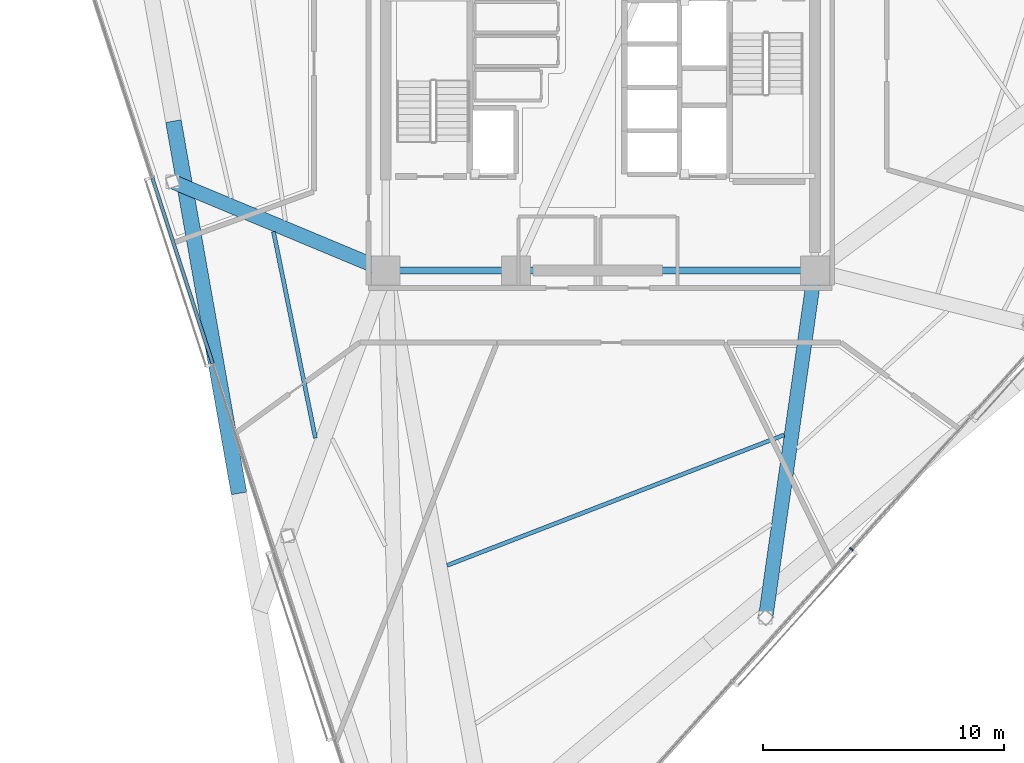
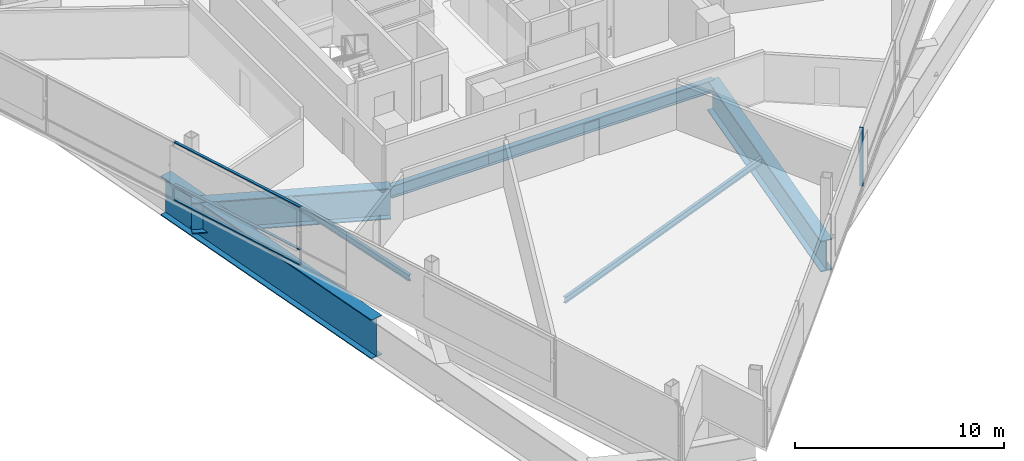
# One storey, part 3 of 17: 7 beams, 4 members, 2 elements without a shape of their own.
"""IFC4 building model written with IfcOpenShell, lengths in metres."""

from ifc_helpers import new_model, si_unit, direction, frame, origin, origin_2d, place, context, subcontext, project, spatial, rectangle, i_section, extrude, material, layer, layer_set, material_profile, profile_set, type_object, element, aggregate, save


model = new_model("IFC4")

# Units and contexts
model_context = context("Model", 3, precision=1e-05, world=origin(), true_north=direction((0.0, 1.0)))
body_context = subcontext(model_context, "Body", "Model", "MODEL_VIEW")
ifc_project = project(units=[si_unit("LENGTHUNIT", "METRE"), si_unit("AREAUNIT", "SQUARE_METRE"), si_unit("VOLUMEUNIT", "CUBIC_METRE"), si_unit("PLANEANGLEUNIT", "RADIAN"), si_unit("MASSUNIT", "GRAM", prefix="KILO")], contexts=[model_context])

# Site, building, storey
site_placement = place(None, origin())
site = spatial("IfcSite", under=ifc_project, at=site_placement, CompositionType="ELEMENT")
building_placement = place(site_placement, origin())
building = spatial("IfcBuilding", under=site, at=building_placement, Name="Tharavind Bronze Gate", CompositionType="ELEMENT")
storey_placement = place(building_placement, frame((0.0, 0.0, 196.85009765625)))
storey = spatial("IfcBuildingStorey", under=building, at=storey_placement, Name="L50", CompositionType="ELEMENT", Elevation=196.85009765625)

# Curtain wall, member
ifc_material_1 = material(Name="Anodised Bronze Aluminium", Category="aluminium")
ifc_layer = layer(ifc_material_1, 0.219970703125)
ifc_layer_set = layer_set([ifc_layer], Name="Anodised Bronze Aluminium")
curtain_wall_type = type_object("IfcCurtainWallType", Name="UNITISED CURTAIN WALL MID OFFICE", PredefinedType="USERDEFINED", material=ifc_layer_set)
curtain_wall_1_placement = place(storey_placement, origin())
curtain_wall_1 = element("IfcCurtainWall", 1, at=curtain_wall_1_placement, inside=storey, type_object=curtain_wall_type, Name="L50 unitised curtain wall mid office CW-L50-S2", ObjectType="UNITISED CURTAIN WALL", PredefinedType="USERDEFINED")
member_type_1 = type_object("IfcMemberType", Name="CURTAIN WALL BRONZE MULLION 65X180", PredefinedType="MULLION", material=ifc_material_1)
member_1_placement = place(storey_placement, frame((10.42138671875, -19.1552734375, 0.0), z_axis=(0.0, 0.0, 1.0), x_axis=(0.669130606359, 0.743144825477, 0.0)))
member_1 = element("IfcMember", 2, at=member_1_placement, type_object=member_type_1, Name="CW-L50-S2 mullion 4", PredefinedType="MULLION", context=body_context, shape_type="SweptSolid", body=[
    extrude(rectangle(XDim=0.06494140625, YDim=0.179931640625, at=origin_2d()), origin(), (0.0, 0.0, 1.0), 3.419921875),
])
aggregate(curtain_wall_1, [member_1])

# Curtain wall, members
curtain_wall_2_placement = place(storey_placement, origin())
curtain_wall_2 = element("IfcCurtainWall", 3, at=curtain_wall_2_placement, inside=storey, type_object=curtain_wall_type, Name="L50 unitised curtain wall mid office CW-L50-S1", ObjectType="UNITISED CURTAIN WALL", PredefinedType="USERDEFINED")
member_type_2 = type_object("IfcMemberType", Name="CURTAIN WALL BRONZE TRANSOM 65X140", PredefinedType="USERDEFINED", material=ifc_material_1)
member_2_placement = place(storey_placement, frame((-17.32958984375, -7.61083984375, 0.0), z_axis=(0.0, 0.0, 1.0), x_axis=(0.309016994375, -0.951056516295, 0.0)))
member_2 = element("IfcMember", 4, at=member_2_placement, type_object=member_type_2, Name="CW-L50-S1 transom TB3", ObjectType="TRANSOM", PredefinedType="USERDEFINED", context=body_context, shape_type="SweptSolid", body=[
    extrude(rectangle(XDim=8.102783203125, YDim=0.139892578125, at=origin_2d()), origin(), (0.0, 0.0, 1.0), 0.06494140625),
])
member_3_placement = place(storey_placement, frame((-17.32958984375, -7.61083984375, 0.867431640625), z_axis=(0.0, 0.0, 1.0), x_axis=(0.309016994375, -0.951056516295, 0.0)))
member_3 = element("IfcMember", 5, at=member_3_placement, type_object=member_type_2, Name="CW-L50-S1 transom TS3", ObjectType="TRANSOM", PredefinedType="USERDEFINED", context=body_context, shape_type="SweptSolid", body=[
    extrude(rectangle(XDim=8.102783203125, YDim=0.139892578125, at=origin_2d()), origin(), (0.0, 0.0, 1.0), 0.06494140625),
])
member_4_placement = place(storey_placement, frame((-17.32958984375, -7.61083984375, 3.35498046875), z_axis=(0.0, 0.0, 1.0), x_axis=(0.309016994375, -0.951056516295, 0.0)))
member_4 = element("IfcMember", 6, at=member_4_placement, type_object=member_type_2, Name="CW-L50-S1 transom TT3", ObjectType="TRANSOM", PredefinedType="USERDEFINED", context=body_context, shape_type="SweptSolid", body=[
    extrude(rectangle(XDim=8.102783203125, YDim=0.139892578125, at=origin_2d()), origin(), (0.0, 0.0, 1.0), 0.06494140625),
])
aggregate(curtain_wall_2, [member_2, member_3, member_4])

# Beams
ifc_material_2 = material(Name="Steel S355", Category="steel")
ifc_material_profile_1 = material_profile(ifc_material_2, i_section(OverallWidth=0.300048828125, OverallDepth=0.699951171875, WebThickness=0.01708984375, FlangeThickness=0.031982421875, at=origin_2d()), Name="HE700B")
ifc_profile_set_1 = profile_set([ifc_material_profile_1], Name="Steel S355")
beam_type_1 = type_object("IfcBeamType", Name="RING GIRDER HE700B", PredefinedType="USERDEFINED", material=ifc_profile_set_1)
beam_1_placement = place(storey_placement, frame((-8.89990234375, -7.60009765625, -0.5400390625), z_axis=(1.0, 0.0, 0.0), x_axis=(0.0, 1.0, 0.0)))
element("IfcBeam", 7, at=beam_1_placement, inside=storey, type_object=beam_type_1, Name="L50 ring girder he700b BM-L50-CR1", ObjectType="GIRDER", PredefinedType="USERDEFINED", context=body_context, shape_type="SweptSolid", body=[
    extrude(i_section(OverallWidth=0.300048828125, OverallDepth=0.699951171875, WebThickness=0.01708984375, FlangeThickness=0.031982421875, at=origin_2d()), origin(), (0.0, 0.0, 1.0), 5.39990234375),
])
beam_2_placement = place(storey_placement, frame((-3.5, -7.60009765625, -0.5400390625), z_axis=(1.0, 0.0, 0.0), x_axis=(0.0, 1.0, 0.0)))
element("IfcBeam", 8, at=beam_2_placement, inside=storey, type_object=beam_type_1, Name="L50 ring girder he700b BM-L50-CR2", ObjectType="GIRDER", PredefinedType="USERDEFINED", context=body_context, shape_type="SweptSolid", body=[
    extrude(i_section(OverallWidth=0.300048828125, OverallDepth=0.699951171875, WebThickness=0.01708984375, FlangeThickness=0.031982421875, at=origin_2d()), origin(), (0.0, 0.0, 1.0), 12.39990234375),
])
ifc_material_profile_2 = material_profile(ifc_material_2, i_section(OverallWidth=0.169921875, OverallDepth=0.360107421875, WebThickness=0.008056640625, FlangeThickness=0.0126953125, at=origin_2d()), Name="IPE360")
ifc_profile_set_2 = profile_set([ifc_material_profile_2], Name="Steel S355")
beam_type_2 = type_object("IfcBeamType", Name="SECONDARY FLOOR JOIST IPE360", PredefinedType="JOIST", material=ifc_profile_set_2)
beam_3_placement = place(storey_placement, frame((-13.557861328125, -5.986328125, -0.3701171875), z_axis=(0.199006253489, -0.979998219933, 0.0), x_axis=(0.979998219933, 0.199006253489, 0.0)))
element("IfcBeam", 9, at=beam_3_placement, inside=storey, type_object=beam_type_2, Name="L50 secondary floor joist ipe360 BM-L50-JSTA02", PredefinedType="JOIST", context=body_context, shape_type="SweptSolid", body=[
    extrude(i_section(OverallWidth=0.169921875, OverallDepth=0.360107421875, WebThickness=0.008056640625, FlangeThickness=0.0126953125, at=origin_2d()), origin(), (0.0, 0.0, 1.0), 8.7373046875),
])
beam_4_placement = place(storey_placement, frame((-6.355712890625, -19.83056640625, -0.3701171875), z_axis=(0.932564030847, 0.361004609902, 0.0), x_axis=(-0.361004609902, 0.932564030847, 0.0)))
element("IfcBeam", 10, at=beam_4_placement, inside=storey, type_object=beam_type_2, Name="L50 secondary floor joist ipe360 BM-L50-JSTA05", PredefinedType="JOIST", context=body_context, shape_type="SweptSolid", body=[
    extrude(i_section(OverallWidth=0.169921875, OverallDepth=0.360107421875, WebThickness=0.008056640625, FlangeThickness=0.0126953125, at=origin_2d()), origin(), (0.0, 0.0, 1.0), 14.992431640625),
])
ifc_material_3 = material(Name="Steel S460", Category="steel")
ifc_material_profile_3 = material_profile(ifc_material_3, i_section(OverallWidth=0.60009765625, OverallDepth=1.800048828125, WebThickness=0.031982421875, FlangeThickness=0.054931640625, at=origin_2d()), Name="PG1800X600")
ifc_profile_set_3 = profile_set([ifc_material_profile_3], Name="Steel S460")
beam_type_3 = type_object("IfcBeamType", Name="TRANSFER GIRDER 1800X600", PredefinedType="USERDEFINED", material=ifc_profile_set_3)
beam_5_placement = place(storey_placement, frame((-8.89990234375, -7.60009765625, -1.090087890625), z_axis=(-0.922965305367, 0.38488315771, 0.0), x_axis=(-0.38488315771, -0.922965305367, 0.0)))
element("IfcBeam", 11, at=beam_5_placement, inside=storey, type_object=beam_type_3, Name="L50 transfer girder 1800x600 BM-L50-XFR02", ObjectType="TRANSFER GIRDER", PredefinedType="USERDEFINED", context=body_context, shape_type="SweptSolid", body=[
    extrude(i_section(OverallWidth=0.60009765625, OverallDepth=1.800048828125, WebThickness=0.031982421875, FlangeThickness=0.054931640625, at=origin_2d()), origin(), (0.0, 0.0, 1.0), 9.580810546875),
])
beam_6_placement = place(storey_placement, frame((8.89990234375, -7.60009765625, -1.090087890625), z_axis=(-0.140506642307, -0.990079735914, 0.0), x_axis=(0.990079735914, -0.140506642307, 0.0)))
element("IfcBeam", 12, at=beam_6_placement, inside=storey, type_object=beam_type_3, Name="L50 transfer girder 1800x600 BM-L50-XFR06", ObjectType="TRANSFER GIRDER", PredefinedType="USERDEFINED", context=body_context, shape_type="SweptSolid", body=[
    extrude(i_section(OverallWidth=0.60009765625, OverallDepth=1.800048828125, WebThickness=0.031982421875, FlangeThickness=0.054931640625, at=origin_2d()), origin(), (0.0, 0.0, 1.0), 14.53662109375),
])
ifc_material_profile_4 = material_profile(ifc_material_3, i_section(OverallWidth=0.64990234375, OverallDepth=2.300048828125, WebThickness=0.035888671875, FlangeThickness=0.05810546875, at=origin_2d()), Name="PG2300X650")
ifc_profile_set_4 = profile_set([ifc_material_profile_4], Name="Steel S460")
beam_type_4 = type_object("IfcBeamType", Name="TRANSFER GIRDER 2300X650", PredefinedType="USERDEFINED", material=ifc_profile_set_4)
beam_7_placement = place(storey_placement, frame((-17.709716796875, -1.3994140625, -1.340087890625), z_axis=(0.173647661488, -0.984807844028, 0.0), x_axis=(0.984807844028, 0.173647661488, 0.0)))
element("IfcBeam", 13, at=beam_7_placement, inside=storey, type_object=beam_type_4, Name="L50 transfer girder 2300x650 BM-L50-LRG02", ObjectType="TRANSFER GIRDER", PredefinedType="USERDEFINED", context=body_context, shape_type="SweptSolid", body=[
    extrude(i_section(OverallWidth=0.64990234375, OverallDepth=2.300048828125, WebThickness=0.035888671875, FlangeThickness=0.05810546875, at=origin_2d()), origin(), (0.0, 0.0, 1.0), 15.6806640625),
])

save(model, "model.ifc")
